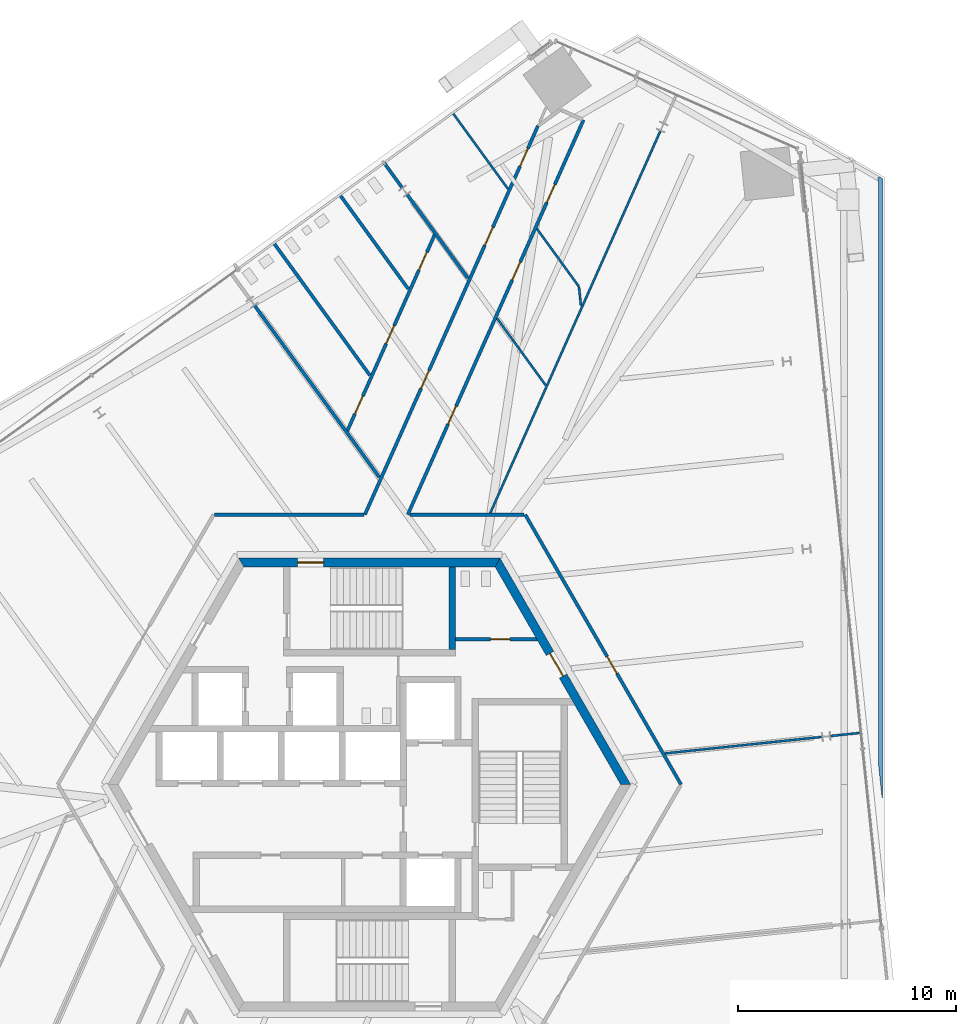
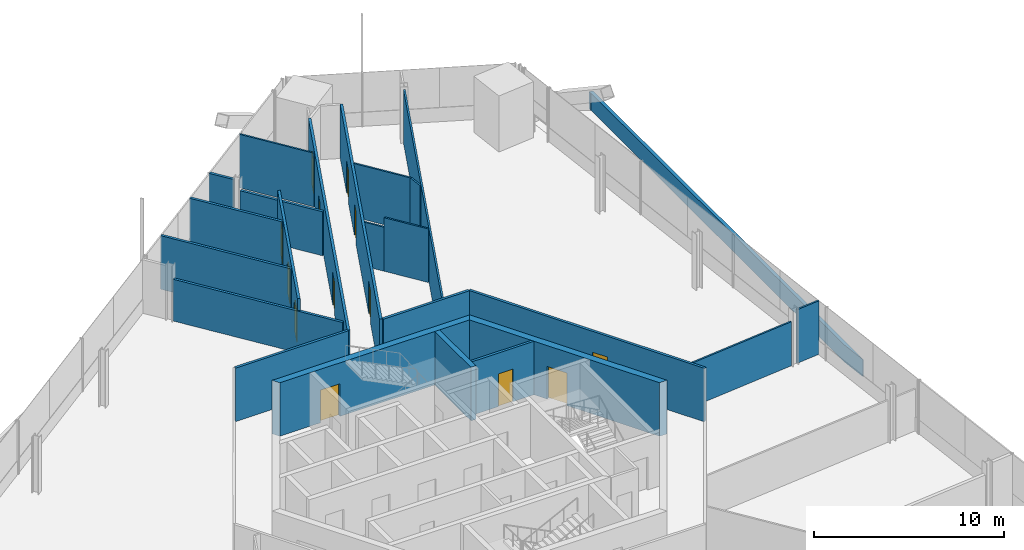
# One storey, part 18 of 24: 24 walls, 13 doors, 13 openings.
"""IFC4 building model written with IfcOpenShell, lengths in metres."""

from ifc_helpers import new_model, si_unit, direction, frame, frame_2d, origin, place, context, subcontext, project, spatial, polyline, rectangle, outline, extrude, source, transform, mapped, material, layer, layer_set, type_object, element, fill, save


model = new_model("IFC4")

# Units and contexts
model_context = context("Model", 3, precision=1e-05, world=origin(), true_north=direction((0.0, 1.0)))
body_context = subcontext(model_context, "Body", "Model", "MODEL_VIEW")
ifc_project = project(units=[si_unit("LENGTHUNIT", "METRE"), si_unit("AREAUNIT", "SQUARE_METRE"), si_unit("VOLUMEUNIT", "CUBIC_METRE"), si_unit("PLANEANGLEUNIT", "RADIAN"), si_unit("MASSUNIT", "GRAM", prefix="KILO")], contexts=[model_context])

# Site, building, storey
site_placement = place(None, origin())
site = spatial("IfcSite", under=ifc_project, at=site_placement, CompositionType="ELEMENT")
building_placement = place(site_placement, origin())
building = spatial("IfcBuilding", under=site, at=building_placement, Name="Triune Harvest Tower", CompositionType="ELEMENT")
storey_placement = place(building_placement, frame((0.0, 0.0, 58.5)))
storey = spatial("IfcBuildingStorey", under=building, at=storey_placement, Name="L13", CompositionType="ELEMENT", Elevation=58.5)

# Walls
ifc_material_1 = material(Name="Concrete 40 MPa", Category="concrete")
ifc_layer_1 = layer(ifc_material_1, 0.199951171875)
ifc_layer_set_1 = layer_set([ifc_layer_1], Name="Concrete 40 MPa")
wall_type_1 = type_object("IfcWallType", Name="PA-1 parapet 200", PredefinedType="PARAPET", material=ifc_layer_set_1)
wall_1_placement = place(storey_placement, origin())
element("IfcWall", 1, at=wall_1_placement, inside=storey, type_object=wall_type_1, Name="Parapet wedge L12 1.2", PredefinedType="PARAPET", context=body_context, shape_type="SweptSolid", body=[
    extrude(outline(polyline([(23.5712890625, -0.621337890625), (23.5419921875, -0.622802734375), (23.371337890625, 0.9990234375), (23.371337890625, 27.706787109375), (23.351318359375, 27.71826171875), (23.351318359375, 27.8798828125), (23.471435546875, 27.8798828125), (23.5712890625, 27.822021484375), (23.5712890625, -0.621337890625)])), origin(), (0.0, 0.0, 1.0), 1.10009765625),
])
ifc_material_2 = material(Name="Gypsum board on steel studs", Category="steel")
ifc_layer_2 = layer(ifc_material_2, 0.10009765625)
ifc_layer_set_2 = layer_set([ifc_layer_2], Name="Gypsum board on steel studs")
wall_type_2 = type_object("IfcWallType", Name="Partition 100 mm", PredefinedType="PARTITIONING", material=ifc_layer_set_2)
wall_2_placement = place(storey_placement, frame((9.622802734375, 22.852783203125, 0.0), z_axis=(0.0, 0.0, 1.0), x_axis=(0.104567724623, -0.99451776805, 0.0)))
element("IfcWall", 2, at=wall_2_placement, inside=storey, type_object=wall_type_2, Name="Partition L13 001", PredefinedType="PARTITIONING", context=body_context, shape_type="SweptSolid", body=[
    extrude(rectangle(XDim=0.86865234375, YDim=0.10009765625, at=frame_2d((0.434326171875, 0.0))), origin(), (0.0, 0.0, 1.0), 3.43994140625),
])
wall_3_placement = place(storey_placement, frame((7.69140625, 25.519287109375, 0.0), z_axis=(0.0, 0.0, 1.0), x_axis=(0.587822436225, -0.808989977361, 0.0)))
element("IfcWall", 3, at=wall_3_placement, inside=storey, type_object=wall_type_2, Name="Partition L13 016", PredefinedType="PARTITIONING", context=body_context, shape_type="SweptSolid", body=[
    extrude(rectangle(XDim=3.283935546875, YDim=0.10009765625, at=frame_2d((1.64208984375, 0.0))), origin(), (0.0, 0.0, 1.0), 3.43994140625),
])

# Wall, opening, door
ifc_material_3 = material(Name="Concrete 70 MPa", Category="concrete")
ifc_layer_3 = layer(ifc_material_3, 0.39990234375)
ifc_layer_set_3 = layer_set([ifc_layer_3], Name="Concrete 70 MPa")
wall_type_3 = type_object("IfcWallType", Name="Core wall 400", PredefinedType="SHEAR", material=ifc_layer_set_3)
shared_shape_1 = source(origin(), body_context, "Body", "SweptSolid", [
    extrude(outline(polyline([(-0.115478515625, -0.199951171875), (11.884521484375, -0.199951171875), (11.653564453125, 0.199951171875), (0.115478515625, 0.199951171875), (-0.115478515625, -0.199951171875)])), origin(), (0.0, 0.0, 1.0), 3.43994140625),
])
wall_4_placement = place(storey_placement, frame((11.76904296875, 0.0, 0.0), z_axis=(0.0, 0.0, 1.0), x_axis=(-0.499996592174, 0.866027371285, 0.0)))
wall_4 = element("IfcWall", 4, at=wall_4_placement, inside=storey, type_object=wall_type_3, Name="Hexagon 0 wall", PredefinedType="SHEAR", context=body_context, shape_type="MappedRepresentation", body=[
    mapped(shared_shape_1, transform((0.0, 0.0, 0.0), scale=1.0)),
])
opening_1_placement = place(wall_4_placement, frame((5.75048828125, 0.0, 0.0)))
opening_1 = element("IfcOpeningElement", 5, at=opening_1_placement, cuts=wall_4, Name="Opening CD-WCP", PredefinedType="OPENING", context=body_context, shape_type="SweptSolid", body=[
    extrude(rectangle(XDim=1.199951171875, YDim=2.10009765625, at=frame_2d((0.60009765625, 1.050048828125))), frame((0.0, 0.2099609375, 0.0), z_axis=(0.0, -1.0, 0.0), x_axis=(1.0, 0.0, 0.0)), (0.0, 0.0, 1.0), 0.419921875),
])
ifc_material_4 = material(Name="Steel S235", Category="steel")
door_type_1 = type_object("IfcDoorType", Name="Lobby door 1200 FD120", OperationType="SINGLE_SWING_LEFT", PredefinedType="DOOR", material=ifc_material_4)
door_1_placement = place(opening_1_placement, frame((1.199951171875, 0.0, 0.0), z_axis=(0.0, 0.0, 1.0), x_axis=(-1.0, 0.0, 0.0)))
door_1 = element("IfcDoor", 6, at=door_1_placement, inside=storey, type_object=door_type_1, Name="Door CD-WCP", OperationType="SINGLE_SWING_RIGHT", OverallHeight=2.10009765625, OverallWidth=1.199951171875, PredefinedType="DOOR", context=body_context, shape_type="SweptSolid", body=[
    extrude(rectangle(XDim=1.199951171875, YDim=2.10009765625, at=frame_2d((0.60009765625, 1.050048828125))), frame((0.0, 0.02490234375, 0.0), z_axis=(0.0, -1.0, 0.0), x_axis=(1.0, 0.0, 0.0)), (0.0, 0.0, 1.0), 0.050048828125),
])
fill(opening_1, door_1)

wall_5_placement = place(storey_placement, frame((5.884521484375, 10.1923828125, 0.0), z_axis=(0.0, 0.0, 1.0), x_axis=(-1.0, 0.0, 0.0)))
wall_5 = element("IfcWall", 7, at=wall_5_placement, inside=storey, type_object=wall_type_3, Name="Hexagon 1 wall", PredefinedType="SHEAR", context=body_context, shape_type="MappedRepresentation", body=[
    mapped(shared_shape_1, transform((0.0, 0.0, 0.0), scale=1.0)),
])
opening_2_placement = place(wall_5_placement, frame((7.984619140625, 0.0, 0.0)))
opening_2 = element("IfcOpeningElement", 8, at=opening_2_placement, cuts=wall_5, Name="Opening CD-S1P", PredefinedType="OPENING", context=body_context, shape_type="SweptSolid", body=[
    extrude(rectangle(XDim=1.199951171875, YDim=2.10009765625, at=frame_2d((0.60009765625, 1.050048828125))), frame((0.0, 0.2099609375, 0.0), z_axis=(0.0, -1.0, 0.0), x_axis=(1.0, 0.0, 0.0)), (0.0, 0.0, 1.0), 0.419921875),
])
ifc_material_5 = material(Name="Steel S235", Category="steel")
door_type_2 = type_object("IfcDoorType", Name="Stair door 1200 FD120", OperationType="SINGLE_SWING_LEFT", PredefinedType="DOOR", material=ifc_material_5)
door_2_placement = place(opening_2_placement, frame((1.199951171875, 0.0, 0.0), z_axis=(0.0, 0.0, 1.0), x_axis=(-1.0, 0.0, 0.0)))
door_2 = element("IfcDoor", 9, at=door_2_placement, inside=storey, type_object=door_type_2, Name="Door CD-S1P", OperationType="SINGLE_SWING_RIGHT", OverallHeight=2.10009765625, OverallWidth=1.199951171875, PredefinedType="DOOR", context=body_context, shape_type="SweptSolid", body=[
    extrude(rectangle(XDim=1.199951171875, YDim=2.10009765625, at=frame_2d((0.60009765625, 1.050048828125))), frame((0.0, 0.02490234375, 0.0), z_axis=(0.0, -1.0, 0.0), x_axis=(1.0, 0.0, 0.0)), (0.0, 0.0, 1.0), 0.050048828125),
])
fill(opening_2, door_2)

# Wall
ifc_material_6 = material(Name="Concrete 70 MPa", Category="concrete")
ifc_layer_4 = layer(ifc_material_6, 0.300048828125)
ifc_layer_set_4 = layer_set([ifc_layer_4], Name="Concrete 70 MPa")
wall_type_4 = type_object("IfcWallType", Name="Core wall 300", PredefinedType="SHEAR", material=ifc_layer_set_4)
shared_shape_2 = source(origin(), body_context, "Body", "SweptSolid", [
    extrude(outline(polyline([(0.0, -0.14990234375), (0.0, 0.14990234375), (3.80419921875, 0.14990234375), (3.80419921875, -0.14990234375), (0.0, -0.14990234375)])), origin(), (0.0, 0.0, 1.0), 3.43994140625),
])
wall_6_placement = place(storey_placement, frame((3.800048828125, 6.18994140625, 0.0), z_axis=(0.0, 0.0, 1.0), x_axis=(0.0, 1.0, 0.0)))
element("IfcWall", 10, at=wall_6_placement, inside=storey, type_object=wall_type_4, Name="Stair n east wall", PredefinedType="SHEAR", context=body_context, shape_type="MappedRepresentation", body=[
    mapped(shared_shape_2, transform((0.0, 0.0, 0.0), scale=1.0)),
])

# Wall, opening, door
ifc_material_7 = material(Name="Concrete masonry unit", Category="masonry")
ifc_layer_5 = layer(ifc_material_7, 0.14990234375)
ifc_layer_set_5 = layer_set([ifc_layer_5], Name="Concrete masonry unit")
wall_type_5 = type_object("IfcWallType", Name="Block partition 150 unrated", PredefinedType="PARTITIONING", material=ifc_layer_set_5)
shared_shape_3 = source(origin(), body_context, "Body", "SweptSolid", [
    extrude(outline(polyline([(0.0, -0.074951171875), (0.0, 0.074951171875), (3.693359375, 0.074951171875), (3.77978515625, -0.074951171875), (0.0, -0.074951171875)])), origin(), (0.0, 0.0, 1.0), 3.43994140625),
])
wall_7_placement = place(storey_placement, frame((3.949951171875, 6.675048828125, 0.0), z_axis=(0.0, 0.0, 1.0), x_axis=(1.0, 0.0, 0.0)))
wall_7 = element("IfcWall", 11, at=wall_7_placement, inside=storey, type_object=wall_type_5, Name="Wc women south wall", PredefinedType="PARTITIONING", context=body_context, shape_type="MappedRepresentation", body=[
    mapped(shared_shape_3, transform((0.0, 0.0, 0.0), scale=1.0)),
])
opening_3_placement = place(wall_7_placement, frame((1.60009765625, 0.0, 0.0)))
opening_3 = element("IfcOpeningElement", 12, at=opening_3_placement, cuts=wall_7, Name="Opening CD-WW", PredefinedType="OPENING", context=body_context, shape_type="SweptSolid", body=[
    extrude(rectangle(XDim=0.89990234375, YDim=2.10009765625, at=frame_2d((0.449951171875, 1.050048828125))), frame((0.0, 0.0849609375, 0.0), z_axis=(0.0, -1.0, 0.0), x_axis=(1.0, 0.0, 0.0)), (0.0, 0.0, 1.0), 0.169921875),
])
ifc_material_8 = material(Name="Timber C24", Category="wood")
door_type_3 = type_object("IfcDoorType", Name="WC door 900", OperationType="SINGLE_SWING_LEFT", PredefinedType="DOOR", material=ifc_material_8)
door_3_placement = place(opening_3_placement, origin())
door_3 = element("IfcDoor", 13, at=door_3_placement, inside=storey, type_object=door_type_3, Name="Door CD-WW", OperationType="SINGLE_SWING_LEFT", OverallHeight=2.10009765625, OverallWidth=0.89990234375, PredefinedType="DOOR", context=body_context, shape_type="SweptSolid", body=[
    extrude(rectangle(XDim=0.89990234375, YDim=2.10009765625, at=frame_2d((0.449951171875, 1.050048828125))), frame((0.0, 0.02490234375, 0.0), z_axis=(0.0, -1.0, 0.0), x_axis=(1.0, 0.0, 0.0)), (0.0, 0.0, 1.0), 0.050048828125),
])
fill(opening_3, door_3)

ifc_material_9 = material(Name="Gypsum board on steel studs", Category="steel")
ifc_layer_6 = layer(ifc_material_9, 0.14990234375)
ifc_layer_set_6 = layer_set([ifc_layer_6], Name="Gypsum board on steel studs")
wall_type_6 = type_object("IfcWallType", Name="Fire Partition 150 mm", PredefinedType="PARTITIONING", material=ifc_layer_set_6)
shared_shape_4 = source(origin(), body_context, "Body", "SweptSolid", [
    extrude(rectangle(XDim=14.309326171875, YDim=0.14990234375, at=frame_2d((7.15478515625, 0.0))), origin(), (0.0, 0.0, 1.0), 3.43994140625),
])
wall_8_placement = place(storey_placement, frame((7.15478515625, 12.392333984375, 0.0), z_axis=(0.0, 0.0, 1.0), x_axis=(0.499990757089, -0.866030740116, 0.0)))
wall_8 = element("IfcWall", 14, at=wall_8_placement, inside=storey, type_object=wall_type_6, Name="Partition L13 004", PredefinedType="PARTITIONING", context=body_context, shape_type="MappedRepresentation", body=[
    mapped(shared_shape_4, transform((0.0, 0.0, 0.0), scale=1.0)),
])
opening_4_placement = place(wall_8_placement, frame((7.52197265625, 0.0, 0.0)))
opening_4 = element("IfcOpeningElement", 15, at=opening_4_placement, cuts=wall_8, Name="Opening L13-004", PredefinedType="OPENING", context=body_context, shape_type="SweptSolid", body=[
    extrude(rectangle(XDim=0.89990234375, YDim=2.10009765625, at=frame_2d((0.449951171875, 1.050048828125))), frame((0.0, 0.0849609375, 0.0), z_axis=(0.0, -1.0, 0.0), x_axis=(1.0, 0.0, 0.0)), (0.0, 0.0, 1.0), 0.169921875),
])
ifc_material_10 = material(Name="Timber and steel door set", Category="steel")
door_type_4 = type_object("IfcDoorType", Name="Single leaf door FD30 right hand 900 x 2100", OperationType="SINGLE_SWING_RIGHT", PredefinedType="DOOR", material=ifc_material_10)
door_4_placement = place(opening_4_placement, origin())
door_4 = element("IfcDoor", 16, at=door_4_placement, inside=storey, type_object=door_type_4, Name="Door L13-004 Food Laboratory 13.04", OperationType="SINGLE_SWING_RIGHT", OverallHeight=2.10009765625, OverallWidth=0.89990234375, PredefinedType="DOOR", context=body_context, shape_type="SweptSolid", body=[
    extrude(rectangle(XDim=0.89990234375, YDim=2.10009765625, at=frame_2d((0.449951171875, 1.050048828125))), frame((0.0, 0.02490234375, 0.0), z_axis=(0.0, -1.0, 0.0), x_axis=(1.0, 0.0, 0.0)), (0.0, 0.0, 1.0), 0.050048828125),
])
fill(opening_4, door_4)

# Walls
shared_shape_5 = source(origin(), body_context, "Body", "SweptSolid", [
    extrude(rectangle(XDim=9.754150390625, YDim=0.14990234375, at=frame_2d((4.876953125, 0.0))), origin(), (0.0, 0.0, 1.0), 2.68310546875),
])
wall_9_placement = place(storey_placement, frame((-5.2802734375, 22.004638671875, 0.0), z_axis=(0.0, 0.0, 1.0), x_axis=(0.587784693137, -0.809017400625, 0.0)))
element("IfcWall", 17, at=wall_9_placement, inside=storey, type_object=wall_type_6, Name="Partition L13 009", PredefinedType="PARTITIONING", context=body_context, shape_type="MappedRepresentation", body=[
    mapped(shared_shape_5, transform((0.0, 0.0, 0.0), scale=1.0)),
])
shared_shape_6 = source(origin(), body_context, "Body", "SweptSolid", [
    extrude(rectangle(XDim=7.5048828125, YDim=0.14990234375, at=frame_2d((3.75244140625, 0.0))), origin(), (0.0, 0.0, 1.0), 3.43994140625),
])
wall_10_placement = place(storey_placement, frame((-4.391845703125, 24.864990234375, 0.0), z_axis=(0.0, 0.0, 1.0), x_axis=(0.587777030778, -0.809022967591, 0.0)))
element("IfcWall", 18, at=wall_10_placement, inside=storey, type_object=wall_type_6, Name="Partition L13 010", PredefinedType="PARTITIONING", context=body_context, shape_type="MappedRepresentation", body=[
    mapped(shared_shape_6, transform((0.0, 0.0, 0.0), scale=1.0)),
])
shared_shape_7 = source(origin(), body_context, "Body", "SweptSolid", [
    extrude(rectangle(XDim=5.33544921875, YDim=0.14990234375, at=frame_2d((2.667724609375, 0.0))), origin(), (0.0, 0.0, 1.0), 3.43994140625),
])
wall_11_placement = place(storey_placement, frame((-1.35205078125, 27.073486328125, 0.0), z_axis=(0.0, 0.0, 1.0), x_axis=(0.587777109059, -0.809022910718, 0.0)))
element("IfcWall", 19, at=wall_11_placement, inside=storey, type_object=wall_type_6, Name="Partition L13 011", PredefinedType="PARTITIONING", context=body_context, shape_type="MappedRepresentation", body=[
    mapped(shared_shape_7, transform((0.0, 0.0, 0.0), scale=1.0)),
])
shared_shape_8 = source(origin(), body_context, "Body", "SweptSolid", [
    extrude(rectangle(XDim=1.41796875, YDim=0.14990234375, at=frame_2d((0.708984375, 0.0))), origin(), (0.0, 0.0, 1.0), 3.43994140625),
])
wall_12_placement = place(storey_placement, frame((0.674560546875, 28.545654296875, 0.0), z_axis=(0.0, 0.0, 1.0), x_axis=(0.587782622309, -0.809018905164, 0.0)))
element("IfcWall", 20, at=wall_12_placement, inside=storey, type_object=wall_type_6, Name="Partition L13 012", PredefinedType="PARTITIONING", context=body_context, shape_type="MappedRepresentation", body=[
    mapped(shared_shape_8, transform((0.0, 0.0, 0.0), scale=1.0)),
])
shared_shape_9 = source(origin(), body_context, "Body", "SweptSolid", [
    extrude(rectangle(XDim=4.7529296875, YDim=0.14990234375, at=frame_2d((2.37646484375, 0.0))), origin(), (0.0, 0.0, 1.0), 2.827880859375),
])
wall_13_placement = place(storey_placement, frame((1.727783203125, 27.09619140625, 0.0), z_axis=(0.0, 0.0, 1.0), x_axis=(0.587783745591, -0.809018089055, 0.0)))
element("IfcWall", 21, at=wall_13_placement, inside=storey, type_object=wall_type_6, Name="Partition L13 013", PredefinedType="PARTITIONING", context=body_context, shape_type="MappedRepresentation", body=[
    mapped(shared_shape_9, transform((0.0, 0.0, 0.0), scale=1.0)),
])
shared_shape_10 = source(origin(), body_context, "Body", "SweptSolid", [
    extrude(rectangle(XDim=1.260498046875, YDim=0.10009765625, at=frame_2d((0.63037109375, 0.0))), origin(), (0.0, 0.0, 1.0), 2.827880859375),
])
wall_14_placement = place(storey_placement, frame((5.86083984375, 21.40771484375, 0.0), z_axis=(0.0, 0.0, 1.0), x_axis=(0.587687864278, -0.809087741954, 0.0)))
element("IfcWall", 22, at=wall_14_placement, inside=storey, type_object=wall_type_2, Name="Partition L13 014", PredefinedType="PARTITIONING", context=body_context, shape_type="MappedRepresentation", body=[
    mapped(shared_shape_10, transform((0.0, 0.0, 0.0), scale=1.0)),
])
shared_shape_11 = source(origin(), body_context, "Body", "SweptSolid", [
    extrude(rectangle(XDim=2.54150390625, YDim=0.10009765625, at=frame_2d((1.270751953125, 0.0))), origin(), (0.0, 0.0, 1.0), 3.43994140625),
])
wall_15_placement = place(storey_placement, frame((6.6015625, 20.387939453125, 0.0), z_axis=(0.0, 0.0, 1.0), x_axis=(0.587788950983, -0.809014307106, 0.0)))
element("IfcWall", 23, at=wall_15_placement, inside=storey, type_object=wall_type_2, Name="Partition L13 014a", PredefinedType="PARTITIONING", context=body_context, shape_type="MappedRepresentation", body=[
    mapped(shared_shape_11, transform((0.0, 0.0, 0.0), scale=1.0)),
])
shared_shape_12 = source(origin(), body_context, "Body", "SweptSolid", [
    extrude(rectangle(XDim=4.314697265625, YDim=0.10009765625, at=frame_2d((2.1572265625, 0.0))), origin(), (0.0, 0.0, 1.0), 3.43994140625),
])
wall_16_placement = place(storey_placement, frame((3.827880859375, 30.837158203125, 0.0), z_axis=(0.0, 0.0, 1.0), x_axis=(0.587781361306, -0.809019821328, 0.0)))
element("IfcWall", 24, at=wall_16_placement, inside=storey, type_object=wall_type_2, Name="Partition L13 015", PredefinedType="PARTITIONING", context=body_context, shape_type="MappedRepresentation", body=[
    mapped(shared_shape_12, transform((0.0, 0.0, 0.0), scale=1.0)),
])
shared_shape_13 = source(origin(), body_context, "Body", "SweptSolid", [
    extrude(rectangle(XDim=6.845947265625, YDim=0.14990234375, at=frame_2d((3.4228515625, 0.0))), origin(), (0.0, 0.0, 1.0), 3.43994140625),
])
wall_17_placement = place(storey_placement, frame((-7.104736328125, 12.392333984375, 0.0), z_axis=(0.0, 0.0, 1.0), x_axis=(1.0, 0.0, 0.0)))
element("IfcWall", 25, at=wall_17_placement, inside=storey, type_object=wall_type_6, Name="Partition L13 021", PredefinedType="PARTITIONING", context=body_context, shape_type="MappedRepresentation", body=[
    mapped(shared_shape_13, transform((0.0, 0.0, 0.0), scale=1.0)),
])
shared_shape_14 = source(origin(), body_context, "Body", "SweptSolid", [
    extrude(rectangle(XDim=5.242919921875, YDim=0.14990234375, at=frame_2d((2.62158203125, 0.0))), origin(), (0.0, 0.0, 1.0), 3.43994140625),
])
wall_18_placement = place(storey_placement, frame((1.86181640625, 12.392333984375, 0.0), z_axis=(0.0, 0.0, 1.0), x_axis=(1.0, 0.0, 0.0)))
element("IfcWall", 26, at=wall_18_placement, inside=storey, type_object=wall_type_6, Name="Partition L13 022", PredefinedType="PARTITIONING", context=body_context, shape_type="MappedRepresentation", body=[
    mapped(shared_shape_14, transform((0.0, 0.0, 0.0), scale=1.0)),
])
shared_shape_15 = source(origin(), body_context, "Body", "SweptSolid", [
    extrude(rectangle(XDim=7.260498046875, YDim=0.10009765625, at=frame_2d((3.63037109375, 0.0))), origin(), (0.0, 0.0, 1.0), 2.827880859375),
])
wall_19_placement = place(storey_placement, frame((13.5703125, 1.427001953125, 0.0), z_axis=(0.0, 0.0, 1.0), x_axis=(0.994523862747, 0.104509743218, 0.0)))
element("IfcWall", 27, at=wall_19_placement, inside=storey, type_object=wall_type_2, Name="Partition L13 028", PredefinedType="PARTITIONING", context=body_context, shape_type="MappedRepresentation", body=[
    mapped(shared_shape_15, transform((0.0, 0.0, 0.0), scale=1.0)),
])
shared_shape_16 = source(origin(), body_context, "Body", "SweptSolid", [
    extrude(rectangle(XDim=1.418212890625, YDim=0.10009765625, at=frame_2d((0.708984375, 0.0))), origin(), (0.0, 0.0, 1.0), 3.43994140625),
])
wall_20_placement = place(storey_placement, frame((21.162841796875, 2.22509765625, 0.0), z_axis=(0.0, 0.0, 1.0), x_axis=(0.99452524445, 0.104496593973, 0.0)))
element("IfcWall", 28, at=wall_20_placement, inside=storey, type_object=wall_type_2, Name="Partition L13 029", PredefinedType="PARTITIONING", context=body_context, shape_type="MappedRepresentation", body=[
    mapped(shared_shape_16, transform((0.0, 0.0, 0.0), scale=1.0)),
])
shared_shape_17 = source(origin(), body_context, "Body", "SweptSolid", [
    extrude(rectangle(XDim=19.29931640625, YDim=0.10009765625, at=frame_2d((9.649658203125, 0.0))), origin(), (0.0, 0.0, 1.0), 3.43994140625),
])
wall_21_placement = place(storey_placement, frame((5.517578125, 12.392333984375, 0.0), z_axis=(0.0, 0.0, 1.0), x_axis=(0.406729941856, 0.913548441188, 0.0)))
element("IfcWall", 29, at=wall_21_placement, inside=storey, type_object=wall_type_2, Name="Partition L13 035", PredefinedType="PARTITIONING", context=body_context, shape_type="MappedRepresentation", body=[
    mapped(shared_shape_17, transform((0.0, 0.0, 0.0), scale=1.0)),
])

# Wall, openings, doors
shared_shape_18 = source(origin(), body_context, "Body", "SweptSolid", [
    extrude(rectangle(XDim=19.8388671875, YDim=0.14990234375, at=frame_2d((9.91943359375, 0.0))), origin(), (0.0, 0.0, 1.0), 3.43994140625),
])
wall_22_placement = place(storey_placement, frame((1.76171875, 12.392333984375, 0.0), z_axis=(0.0, 0.0, 1.0), x_axis=(0.406745822445, 0.913541370669, 0.0)))
wall_22 = element("IfcWall", 30, at=wall_22_placement, inside=storey, type_object=wall_type_6, Name="Partition L13 038", PredefinedType="PARTITIONING", context=body_context, shape_type="MappedRepresentation", body=[
    mapped(shared_shape_18, transform((0.0, 0.0, 0.0), scale=1.0)),
])
opening_5_placement = place(wall_22_placement, frame((15.698974609375, 0.0, 0.0)))
opening_5 = element("IfcOpeningElement", 31, at=opening_5_placement, cuts=wall_22, Name="Opening L13-005", PredefinedType="OPENING", context=body_context, shape_type="SweptSolid", body=[
    extrude(rectangle(XDim=0.89990234375, YDim=2.10009765625, at=frame_2d((0.449951171875, 1.050048828125))), frame((0.0, 0.0849609375, 0.0), z_axis=(0.0, -1.0, 0.0), x_axis=(1.0, 0.0, 0.0)), (0.0, 0.0, 1.0), 0.169921875),
])
opening_6_placement = place(wall_22_placement, frame((11.7978515625, 0.0, 0.0)))
opening_6 = element("IfcOpeningElement", 32, at=opening_6_placement, cuts=wall_22, Name="Opening L13-008", PredefinedType="OPENING", context=body_context, shape_type="SweptSolid", body=[
    extrude(rectangle(XDim=0.89990234375, YDim=2.10009765625, at=frame_2d((0.449951171875, 1.050048828125))), frame((0.0, 0.0849609375, 0.0), z_axis=(0.0, -1.0, 0.0), x_axis=(1.0, 0.0, 0.0)), (0.0, 0.0, 1.0), 0.169921875),
])
opening_7_placement = place(wall_22_placement, frame((4.5498046875, 0.0, 0.0)))
opening_7 = element("IfcOpeningElement", 33, at=opening_7_placement, cuts=wall_22, Name="Opening L13-010", PredefinedType="OPENING", context=body_context, shape_type="SweptSolid", body=[
    extrude(rectangle(XDim=0.89990234375, YDim=2.10009765625, at=frame_2d((0.449951171875, 1.050048828125))), frame((0.0, 0.0849609375, 0.0), z_axis=(0.0, -1.0, 0.0), x_axis=(1.0, 0.0, 0.0)), (0.0, 0.0, 1.0), 0.169921875),
])
ifc_material_11 = material(Name="Timber and steel door set", Category="steel")
door_type_5 = type_object("IfcDoorType", Name="Single leaf door FD30 left hand 900 x 2100", OperationType="SINGLE_SWING_LEFT", PredefinedType="DOOR", material=ifc_material_11)
door_5_placement = place(opening_5_placement, origin())
door_5 = element("IfcDoor", 34, at=door_5_placement, inside=storey, type_object=door_type_5, Name="Door L13-005 Specimen Store 13.05", OperationType="SINGLE_SWING_LEFT", OverallHeight=2.10009765625, OverallWidth=0.89990234375, PredefinedType="DOOR", context=body_context, shape_type="SweptSolid", body=[
    extrude(rectangle(XDim=0.89990234375, YDim=2.10009765625, at=frame_2d((0.449951171875, 1.050048828125))), frame((0.0, 0.02490234375, 0.0), z_axis=(0.0, -1.0, 0.0), x_axis=(1.0, 0.0, 0.0)), (0.0, 0.0, 1.0), 0.050048828125),
])
fill(opening_5, door_5)
door_6_placement = place(opening_6_placement, origin())
door_6 = element("IfcDoor", 35, at=door_6_placement, inside=storey, type_object=door_type_5, Name="Door L13-008 Print room 13.08", OperationType="SINGLE_SWING_LEFT", OverallHeight=2.10009765625, OverallWidth=0.89990234375, PredefinedType="DOOR", context=body_context, shape_type="SweptSolid", body=[
    extrude(rectangle(XDim=0.89990234375, YDim=2.10009765625, at=frame_2d((0.449951171875, 1.050048828125))), frame((0.0, 0.02490234375, 0.0), z_axis=(0.0, -1.0, 0.0), x_axis=(1.0, 0.0, 0.0)), (0.0, 0.0, 1.0), 0.050048828125),
])
fill(opening_6, door_6)
door_7_placement = place(opening_7_placement, origin())
door_7 = element("IfcDoor", 36, at=door_7_placement, inside=storey, type_object=door_type_4, Name="Door L13-010 Office 13.10", OperationType="SINGLE_SWING_RIGHT", OverallHeight=2.10009765625, OverallWidth=0.89990234375, PredefinedType="DOOR", context=body_context, shape_type="SweptSolid", body=[
    extrude(rectangle(XDim=0.89990234375, YDim=2.10009765625, at=frame_2d((0.449951171875, 1.050048828125))), frame((0.0, 0.02490234375, 0.0), z_axis=(0.0, -1.0, 0.0), x_axis=(1.0, 0.0, 0.0)), (0.0, 0.0, 1.0), 0.050048828125),
])
fill(opening_7, door_7)

shared_shape_19 = source(origin(), body_context, "Body", "SweptSolid", [
    extrude(rectangle(XDim=19.538818359375, YDim=0.14990234375, at=frame_2d((9.76953125, 0.0))), origin(), (0.0, 0.0, 1.0), 3.43994140625),
])
wall_23_placement = place(storey_placement, frame((-0.208740234375, 12.39208984375, 0.0), z_axis=(0.0, 0.0, 1.0), x_axis=(0.40674123514, 0.91354341311, 0.0)))
wall_23 = element("IfcWall", 37, at=wall_23_placement, inside=storey, type_object=wall_type_6, Name="Partition L13 041", PredefinedType="PARTITIONING", context=body_context, shape_type="MappedRepresentation", body=[
    mapped(shared_shape_19, transform((0.0, 0.0, 0.0), scale=1.0)),
])
opening_8_placement = place(wall_23_placement, frame((13.539794921875, 0.0, 0.0)))
opening_8 = element("IfcOpeningElement", 38, at=opening_8_placement, cuts=wall_23, Name="Opening L13-006", PredefinedType="OPENING", context=body_context, shape_type="SweptSolid", body=[
    extrude(rectangle(XDim=0.89990234375, YDim=2.10009765625, at=frame_2d((0.449951171875, 1.050048828125))), frame((0.0, 0.0849609375, 0.0), z_axis=(0.0, -1.0, 0.0), x_axis=(1.0, 0.0, 0.0)), (0.0, 0.0, 1.0), 0.169921875),
])
opening_9_placement = place(wall_23_placement, frame((17.5087890625, 0.0, 0.0)))
opening_9 = element("IfcOpeningElement", 39, at=opening_9_placement, cuts=wall_23, Name="Opening L13-007", PredefinedType="OPENING", context=body_context, shape_type="SweptSolid", body=[
    extrude(rectangle(XDim=0.89990234375, YDim=2.10009765625, at=frame_2d((0.449951171875, 1.050048828125))), frame((0.0, 0.0849609375, 0.0), z_axis=(0.0, -1.0, 0.0), x_axis=(1.0, 0.0, 0.0)), (0.0, 0.0, 1.0), 0.169921875),
])
opening_10_placement = place(wall_23_placement, frame((6.3388671875, 0.0, 0.0)))
opening_10 = element("IfcOpeningElement", 40, at=opening_10_placement, cuts=wall_23, Name="Opening L13-009", PredefinedType="OPENING", context=body_context, shape_type="SweptSolid", body=[
    extrude(rectangle(XDim=0.89990234375, YDim=2.10009765625, at=frame_2d((0.449951171875, 1.050048828125))), frame((0.0, 0.0849609375, 0.0), z_axis=(0.0, -1.0, 0.0), x_axis=(1.0, 0.0, 0.0)), (0.0, 0.0, 1.0), 0.169921875),
])
door_8_placement = place(opening_10_placement, origin())
door_8 = element("IfcDoor", 41, at=door_8_placement, inside=storey, type_object=door_type_5, Name="Door L13-009 WC lobby 13.09", OperationType="SINGLE_SWING_LEFT", OverallHeight=2.10009765625, OverallWidth=0.89990234375, PredefinedType="DOOR", context=body_context, shape_type="SweptSolid", body=[
    extrude(rectangle(XDim=0.89990234375, YDim=2.10009765625, at=frame_2d((0.449951171875, 1.050048828125))), frame((0.0, 0.02490234375, 0.0), z_axis=(0.0, -1.0, 0.0), x_axis=(1.0, 0.0, 0.0)), (0.0, 0.0, 1.0), 0.050048828125),
])
fill(opening_10, door_8)
door_9_placement = place(opening_8_placement, origin())
door_9 = element("IfcDoor", 42, at=door_9_placement, inside=storey, type_object=door_type_4, Name="Door L13-006 Print room 13.06", OperationType="SINGLE_SWING_RIGHT", OverallHeight=2.10009765625, OverallWidth=0.89990234375, PredefinedType="DOOR", context=body_context, shape_type="SweptSolid", body=[
    extrude(rectangle(XDim=0.89990234375, YDim=2.10009765625, at=frame_2d((0.449951171875, 1.050048828125))), frame((0.0, 0.02490234375, 0.0), z_axis=(0.0, -1.0, 0.0), x_axis=(1.0, 0.0, 0.0)), (0.0, 0.0, 1.0), 0.050048828125),
])
fill(opening_8, door_9)
door_10_placement = place(opening_9_placement, origin())
door_10 = element("IfcDoor", 43, at=door_10_placement, inside=storey, type_object=door_type_4, Name="Door L13-007 Pantry 13.07", OperationType="SINGLE_SWING_RIGHT", OverallHeight=2.10009765625, OverallWidth=0.89990234375, PredefinedType="DOOR", context=body_context, shape_type="SweptSolid", body=[
    extrude(rectangle(XDim=0.89990234375, YDim=2.10009765625, at=frame_2d((0.449951171875, 1.050048828125))), frame((0.0, 0.02490234375, 0.0), z_axis=(0.0, -1.0, 0.0), x_axis=(1.0, 0.0, 0.0)), (0.0, 0.0, 1.0), 0.050048828125),
])
fill(opening_9, door_10)

shared_shape_20 = source(origin(), body_context, "Body", "SweptSolid", [
    extrude(rectangle(XDim=10.002197265625, YDim=0.14990234375, at=frame_2d((5.0009765625, 0.0))), origin(), (0.0, 0.0, 1.0), 3.43994140625),
])
wall_24_placement = place(storey_placement, frame((-1.043212890625, 16.1728515625, 0.0), z_axis=(0.0, 0.0, 1.0), x_axis=(0.406745320827, 0.91354159401, 0.0)))
wall_24 = element("IfcWall", 44, at=wall_24_placement, inside=storey, type_object=wall_type_6, Name="Partition L13 044", PredefinedType="PARTITIONING", context=body_context, shape_type="MappedRepresentation", body=[
    mapped(shared_shape_20, transform((0.0, 0.0, 0.0), scale=1.0)),
])
opening_11_placement = place(wall_24_placement, frame((8.15234375, 0.0, 0.0)))
opening_11 = element("IfcOpeningElement", 45, at=opening_11_placement, cuts=wall_24, Name="Opening L13-011", PredefinedType="OPENING", context=body_context, shape_type="SweptSolid", body=[
    extrude(rectangle(XDim=0.89990234375, YDim=2.10009765625, at=frame_2d((0.449951171875, 1.050048828125))), frame((0.0, 0.0849609375, 0.0), z_axis=(0.0, -1.0, 0.0), x_axis=(1.0, 0.0, 0.0)), (0.0, 0.0, 1.0), 0.169921875),
])
opening_12_placement = place(wall_24_placement, frame((4.4599609375, 0.0, 0.0)))
opening_12 = element("IfcOpeningElement", 46, at=opening_12_placement, cuts=wall_24, Name="Opening L13-012", PredefinedType="OPENING", context=body_context, shape_type="SweptSolid", body=[
    extrude(rectangle(XDim=0.89990234375, YDim=2.10009765625, at=frame_2d((0.449951171875, 1.050048828125))), frame((0.0, 0.0849609375, 0.0), z_axis=(0.0, -1.0, 0.0), x_axis=(1.0, 0.0, 0.0)), (0.0, 0.0, 1.0), 0.169921875),
])
opening_13_placement = place(wall_24_placement, frame((0.92138671875, 0.0, 0.0)))
opening_13 = element("IfcOpeningElement", 47, at=opening_13_placement, cuts=wall_24, Name="Opening L13-013", PredefinedType="OPENING", context=body_context, shape_type="SweptSolid", body=[
    extrude(rectangle(XDim=0.89990234375, YDim=2.10009765625, at=frame_2d((0.449951171875, 1.050048828125))), frame((0.0, 0.0849609375, 0.0), z_axis=(0.0, -1.0, 0.0), x_axis=(1.0, 0.0, 0.0)), (0.0, 0.0, 1.0), 0.169921875),
])
door_11_placement = place(opening_12_placement, origin())
door_11 = element("IfcDoor", 48, at=door_11_placement, inside=storey, type_object=door_type_5, Name="Door L13-012 Men's WC 13.12", OperationType="SINGLE_SWING_LEFT", OverallHeight=2.10009765625, OverallWidth=0.89990234375, PredefinedType="DOOR", context=body_context, shape_type="SweptSolid", body=[
    extrude(rectangle(XDim=0.89990234375, YDim=2.10009765625, at=frame_2d((0.449951171875, 1.050048828125))), frame((0.0, 0.02490234375, 0.0), z_axis=(0.0, -1.0, 0.0), x_axis=(1.0, 0.0, 0.0)), (0.0, 0.0, 1.0), 0.050048828125),
])
fill(opening_12, door_11)
door_12_placement = place(opening_13_placement, origin())
door_12 = element("IfcDoor", 49, at=door_12_placement, inside=storey, type_object=door_type_5, Name="Door L13-013 Accessible WC 13.13", OperationType="SINGLE_SWING_LEFT", OverallHeight=2.10009765625, OverallWidth=0.89990234375, PredefinedType="DOOR", context=body_context, shape_type="SweptSolid", body=[
    extrude(rectangle(XDim=0.89990234375, YDim=2.10009765625, at=frame_2d((0.449951171875, 1.050048828125))), frame((0.0, 0.02490234375, 0.0), z_axis=(0.0, -1.0, 0.0), x_axis=(1.0, 0.0, 0.0)), (0.0, 0.0, 1.0), 0.050048828125),
])
fill(opening_13, door_12)
door_13_placement = place(opening_11_placement, origin())
door_13 = element("IfcDoor", 50, at=door_13_placement, inside=storey, type_object=door_type_4, Name="Door L13-011 Women's WC 13.11", OperationType="SINGLE_SWING_RIGHT", OverallHeight=2.10009765625, OverallWidth=0.89990234375, PredefinedType="DOOR", context=body_context, shape_type="SweptSolid", body=[
    extrude(rectangle(XDim=0.89990234375, YDim=2.10009765625, at=frame_2d((0.449951171875, 1.050048828125))), frame((0.0, 0.02490234375, 0.0), z_axis=(0.0, -1.0, 0.0), x_axis=(1.0, 0.0, 0.0)), (0.0, 0.0, 1.0), 0.050048828125),
])
fill(opening_11, door_13)

save(model, "model.ifc")
